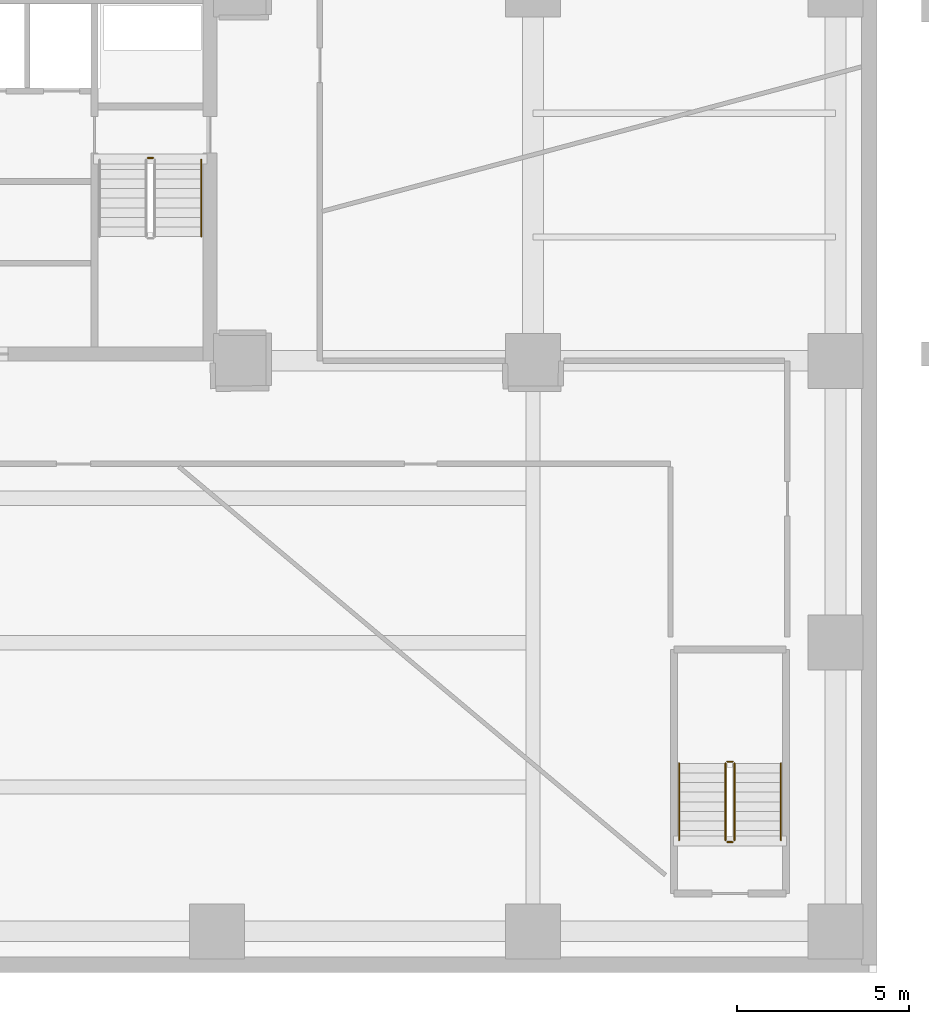
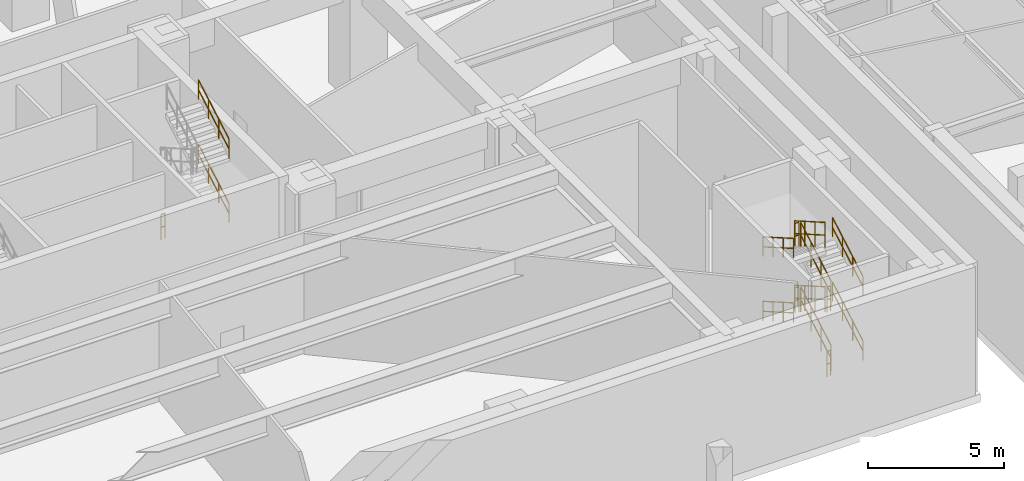
# One storey, part 10 of 12: 15 railings.
"""IFC4 building model written with IfcOpenShell, lengths in metres."""

from ifc_helpers import new_model, si_unit, direction, frame, origin, origin_2d, place, context, subcontext, project, spatial, circle, extrude, material, type_object, element, save


model = new_model("IFC4")

# Units and contexts
model_context = context("Model", 3, precision=1e-05, world=origin(), true_north=direction((0.0, 1.0)))
body_context = subcontext(model_context, "Body", "Model", "MODEL_VIEW")
ifc_project = project(units=[si_unit("LENGTHUNIT", "METRE"), si_unit("AREAUNIT", "SQUARE_METRE"), si_unit("VOLUMEUNIT", "CUBIC_METRE"), si_unit("PLANEANGLEUNIT", "RADIAN"), si_unit("MASSUNIT", "GRAM", prefix="KILO")], contexts=[model_context])

# Site, building, storey
site_placement = place(None, origin())
site = spatial("IfcSite", under=ifc_project, at=site_placement, CompositionType="ELEMENT")
building_placement = place(site_placement, origin())
building = spatial("IfcBuilding", under=site, at=building_placement, Name="Talar Marvaseh", CompositionType="ELEMENT")
storey_placement = place(building_placement, frame((0.0, 0.0, -5.800048828125)))
storey = spatial("IfcBuildingStorey", under=building, at=storey_placement, Name="B01", CompositionType="ELEMENT", Elevation=-5.800048828125)

# Railings
ifc_material = material(Name="Stainless Steel Grade 316", Category="steel")
railing_type_1 = type_object("IfcRailingType", Name="Brushed Stainless Wall Pitch Handrail 900", PredefinedType="HANDRAIL", material=ifc_material)
railing_1_placement = place(storey_placement, frame((32.35009765625, 29.409912109375, 1.611083984375)))
element("IfcRailing", 1, at=railing_1_placement, inside=storey, type_object=railing_type_1, Name="B01 ST-2 stair handrail 2", PredefinedType="HANDRAIL", context=body_context, shape_type="SweptSolid", body=[
    extrude(circle(Radius=0.02392578125, at=origin_2d()), frame((0.0, 0.0, 0.8759765625), z_axis=(0.0, 0.866727653441, 0.498781690482), x_axis=(-1.0, 0.0, 0.0)), (0.0, 0.0, 1.0), 2.58447265625),
    extrude(circle(Radius=0.02392578125, at=origin_2d()), frame((0.0, 0.0, 0.42578125), z_axis=(0.0, 0.866727653441, 0.498781690482), x_axis=(-1.0, 0.0, 0.0)), (0.0, 0.0, 1.0), 2.58447265625),
    extrude(circle(Radius=0.02099609375, at=origin_2d()), origin(), (0.0, 0.0, 1.0), 0.851806640625),
    extrude(circle(Radius=0.02099609375, at=origin_2d()), frame((0.0, 0.74658203125, 0.4296875)), (0.0, 0.0, 1.0), 0.851806640625),
    extrude(circle(Radius=0.02099609375, at=origin_2d()), frame((0.0, 1.493408203125, 0.859375)), (0.0, 0.0, 1.0), 0.851806640625),
    extrude(circle(Radius=0.02099609375, at=origin_2d()), frame((0.0, 2.239990234375, 1.2890625)), (0.0, 0.0, 1.0), 0.851806640625),
])
for number, where, name in (
    (2, (32.35009765625, 29.409912109375, 4.51123046875), "B01 ST-2 stair handrail 4"),
    (3, (49.2099609375, 11.85009765625, 0.1611328125), "B01 STN-ST2 stair handrail 1"),
):
    element("IfcRailing", number, at=place(storey_placement, frame(where)), inside=storey, type_object=railing_type_1, Name=name, PredefinedType="HANDRAIL", context=body_context, shape_type="SweptSolid", body=[
        extrude(circle(Radius=0.02392578125, at=origin_2d()), frame((0.0, 0.0, 0.8759765625), z_axis=(0.0, 0.866768490956, 0.498710720845), x_axis=(-1.0, 0.0, 0.0)), (0.0, 0.0, 1.0), 2.584228515625),
        extrude(circle(Radius=0.02392578125, at=origin_2d()), frame((0.0, 0.0, 0.42578125), z_axis=(0.0, 0.866768490956, 0.498710720845), x_axis=(-1.0, 0.0, 0.0)), (0.0, 0.0, 1.0), 2.584228515625),
        extrude(circle(Radius=0.02099609375, at=origin_2d()), origin(), (0.0, 0.0, 1.0), 0.851806640625),
        extrude(circle(Radius=0.02099609375, at=origin_2d()), frame((0.0, 0.74658203125, 0.4296875)), (0.0, 0.0, 1.0), 0.851806640625),
        extrude(circle(Radius=0.02099609375, at=origin_2d()), frame((0.0, 1.493408203125, 0.859130859375)), (0.0, 0.0, 1.0), 0.851806640625),
        extrude(circle(Radius=0.02099609375, at=origin_2d()), frame((0.0, 2.239990234375, 1.288818359375)), (0.0, 0.0, 1.0), 0.851806640625),
    ])
railing_2_placement = place(storey_placement, frame((46.25, 14.090087890625, 1.611083984375)))
element("IfcRailing", 4, at=railing_2_placement, inside=storey, type_object=railing_type_1, Name="B01 STN-ST2 stair handrail 2", PredefinedType="HANDRAIL", context=body_context, shape_type="SweptSolid", body=[
    extrude(circle(Radius=0.02392578125, at=origin_2d()), frame((0.0, 0.0, 0.8759765625), z_axis=(0.0, -0.866727653441, 0.498781690482), x_axis=(1.0, 0.0, 0.0)), (0.0, 0.0, 1.0), 2.58447265625),
    extrude(circle(Radius=0.02392578125, at=origin_2d()), frame((0.0, 0.0, 0.42578125), z_axis=(0.0, -0.866727653441, 0.498781690482), x_axis=(1.0, 0.0, 0.0)), (0.0, 0.0, 1.0), 2.58447265625),
    extrude(circle(Radius=0.02099609375, at=origin_2d()), origin(), (0.0, 0.0, 1.0), 0.851806640625),
    extrude(circle(Radius=0.02099609375, at=origin_2d()), frame((0.0, -0.74658203125, 0.4296875)), (0.0, 0.0, 1.0), 0.851806640625),
    extrude(circle(Radius=0.02099609375, at=origin_2d()), frame((0.0, -1.493408203125, 0.859375)), (0.0, 0.0, 1.0), 0.851806640625),
    extrude(circle(Radius=0.02099609375, at=origin_2d()), frame((0.0, -2.239990234375, 1.2890625)), (0.0, 0.0, 1.0), 0.851806640625),
])
railing_3_placement = place(storey_placement, frame((49.2099609375, 11.85009765625, 3.061279296875)))
element("IfcRailing", 5, at=railing_3_placement, inside=storey, type_object=railing_type_1, Name="B01 STN-ST2 stair handrail 3", PredefinedType="HANDRAIL", context=body_context, shape_type="SweptSolid", body=[
    extrude(circle(Radius=0.02392578125, at=origin_2d()), frame((0.0, 0.0, 0.8759765625), z_axis=(0.0, 0.866768490956, 0.498710720845), x_axis=(-1.0, 0.0, 0.0)), (0.0, 0.0, 1.0), 2.584228515625),
    extrude(circle(Radius=0.02392578125, at=origin_2d()), frame((0.0, 0.0, 0.42578125), z_axis=(0.0, 0.866768490956, 0.498710720845), x_axis=(-1.0, 0.0, 0.0)), (0.0, 0.0, 1.0), 2.584228515625),
    extrude(circle(Radius=0.02099609375, at=origin_2d()), origin(), (0.0, 0.0, 1.0), 0.851806640625),
    extrude(circle(Radius=0.02099609375, at=origin_2d()), frame((0.0, 0.74658203125, 0.4296875)), (0.0, 0.0, 1.0), 0.851806640625),
    extrude(circle(Radius=0.02099609375, at=origin_2d()), frame((0.0, 1.493408203125, 0.859130859375)), (0.0, 0.0, 1.0), 0.851806640625),
    extrude(circle(Radius=0.02099609375, at=origin_2d()), frame((0.0, 2.239990234375, 1.288818359375)), (0.0, 0.0, 1.0), 0.851806640625),
])
railing_4_placement = place(storey_placement, frame((46.25, 14.090087890625, 4.51123046875)))
element("IfcRailing", 6, at=railing_4_placement, inside=storey, type_object=railing_type_1, Name="B01 STN-ST2 stair handrail 4", PredefinedType="HANDRAIL", context=body_context, shape_type="SweptSolid", body=[
    extrude(circle(Radius=0.02392578125, at=origin_2d()), frame((0.0, 0.0, 0.8759765625), z_axis=(0.0, -0.866768490956, 0.498710720845), x_axis=(1.0, 0.0, 0.0)), (0.0, 0.0, 1.0), 2.584228515625),
    extrude(circle(Radius=0.02392578125, at=origin_2d()), frame((0.0, 0.0, 0.42578125), z_axis=(0.0, -0.866768490956, 0.498710720845), x_axis=(1.0, 0.0, 0.0)), (0.0, 0.0, 1.0), 2.584228515625),
    extrude(circle(Radius=0.02099609375, at=origin_2d()), origin(), (0.0, 0.0, 1.0), 0.851806640625),
    extrude(circle(Radius=0.02099609375, at=origin_2d()), frame((0.0, -0.74658203125, 0.4296875)), (0.0, 0.0, 1.0), 0.851806640625),
    extrude(circle(Radius=0.02099609375, at=origin_2d()), frame((0.0, -1.493408203125, 0.859130859375)), (0.0, 0.0, 1.0), 0.851806640625),
    extrude(circle(Radius=0.02099609375, at=origin_2d()), frame((0.0, -2.239990234375, 1.288818359375)), (0.0, 0.0, 1.0), 0.851806640625),
])
railing_type_2 = type_object("IfcRailingType", Name="Painted Steel Core Stair Well Guardrail 1150", PredefinedType="GUARDRAIL", material=ifc_material)
railing_5_placement = place(storey_placement, frame((30.7900390625, 31.699951171875, 0.0)))
element("IfcRailing", 7, at=railing_5_placement, inside=storey, type_object=railing_type_2, Name="B01 ST-2 stair guard 8", PredefinedType="GUARDRAIL", context=body_context, shape_type="SweptSolid", body=[
    extrude(circle(Radius=0.02392578125, at=origin_2d()), frame((0.0, 0.0, 1.1259765625), z_axis=(1.0, 0.0, 0.0), x_axis=(0.0, 1.0, 0.0)), (0.0, 0.0, 1.0), 0.159912109375),
    extrude(circle(Radius=0.02392578125, at=origin_2d()), frame((0.0, 0.0, 0.55078125), z_axis=(1.0, 0.0, 0.0), x_axis=(0.0, 1.0, 0.0)), (0.0, 0.0, 1.0), 0.159912109375),
    extrude(circle(Radius=0.02099609375, at=origin_2d()), origin(), (0.0, 0.0, 1.0), 1.101806640625),
    extrude(circle(Radius=0.02099609375, at=origin_2d()), frame((0.159912109375, 0.0, 0.0)), (0.0, 0.0, 1.0), 1.101806640625),
])
railing_6_placement = place(storey_placement, frame((47.860107421875, 11.85009765625, 0.1611328125)))
element("IfcRailing", 8, at=railing_6_placement, inside=storey, type_object=railing_type_2, Name="B01 STN-ST2 stair guard 1", PredefinedType="GUARDRAIL", context=body_context, shape_type="SweptSolid", body=[
    extrude(circle(Radius=0.02392578125, at=origin_2d()), frame((0.0, 0.0, 1.1259765625), z_axis=(0.0, 0.866768490956, 0.498710720845), x_axis=(-1.0, 0.0, 0.0)), (0.0, 0.0, 1.0), 2.584228515625),
    extrude(circle(Radius=0.02392578125, at=origin_2d()), frame((0.0, 0.0, 0.55078125), z_axis=(0.0, 0.866768490956, 0.498710720845), x_axis=(-1.0, 0.0, 0.0)), (0.0, 0.0, 1.0), 2.584228515625),
    extrude(circle(Radius=0.02099609375, at=origin_2d()), origin(), (0.0, 0.0, 1.0), 1.101806640625),
    extrude(circle(Radius=0.02099609375, at=origin_2d()), frame((0.0, 0.74658203125, 0.4296875)), (0.0, 0.0, 1.0), 1.101806640625),
    extrude(circle(Radius=0.02099609375, at=origin_2d()), frame((0.0, 1.493408203125, 0.859130859375)), (0.0, 0.0, 1.0), 1.101806640625),
    extrude(circle(Radius=0.02099609375, at=origin_2d()), frame((0.0, 2.239990234375, 1.288818359375)), (0.0, 0.0, 1.0), 1.101806640625),
])
railing_7_placement = place(storey_placement, frame((47.81005859375, 14.139892578125, 1.449951171875)))
element("IfcRailing", 9, at=railing_7_placement, inside=storey, type_object=railing_type_2, Name="B01 STN-ST2 stair guard 2", PredefinedType="GUARDRAIL", context=body_context, shape_type="SweptSolid", body=[
    extrude(circle(Radius=0.02392578125, at=origin_2d()), frame((0.0, 0.0, 1.1259765625), z_axis=(-1.0, 0.0, 0.0), x_axis=(0.0, -1.0, 0.0)), (0.0, 0.0, 1.0), 0.16015625),
    extrude(circle(Radius=0.02392578125, at=origin_2d()), frame((0.0, 0.0, 0.55078125), z_axis=(-1.0, 0.0, 0.0), x_axis=(0.0, -1.0, 0.0)), (0.0, 0.0, 1.0), 0.16015625),
    extrude(circle(Radius=0.02099609375, at=origin_2d()), origin(), (0.0, 0.0, 1.0), 1.101806640625),
    extrude(circle(Radius=0.02099609375, at=origin_2d()), frame((-0.16015625, 0.0, 0.0)), (0.0, 0.0, 1.0), 1.101806640625),
])
railing_8_placement = place(storey_placement, frame((47.60009765625, 14.090087890625, 1.611083984375)))
element("IfcRailing", 10, at=railing_8_placement, inside=storey, type_object=railing_type_2, Name="B01 STN-ST2 stair guard 3", PredefinedType="GUARDRAIL", context=body_context, shape_type="SweptSolid", body=[
    extrude(circle(Radius=0.02392578125, at=origin_2d()), frame((0.0, 0.0, 1.1259765625), z_axis=(0.0, -0.866727653441, 0.498781690482), x_axis=(1.0, 0.0, 0.0)), (0.0, 0.0, 1.0), 2.58447265625),
    extrude(circle(Radius=0.02392578125, at=origin_2d()), frame((0.0, 0.0, 0.55078125), z_axis=(0.0, -0.866727653441, 0.498781690482), x_axis=(1.0, 0.0, 0.0)), (0.0, 0.0, 1.0), 2.58447265625),
    extrude(circle(Radius=0.02099609375, at=origin_2d()), origin(), (0.0, 0.0, 1.0), 1.101806640625),
    extrude(circle(Radius=0.02099609375, at=origin_2d()), frame((0.0, -0.74658203125, 0.4296875)), (0.0, 0.0, 1.0), 1.101806640625),
    extrude(circle(Radius=0.02099609375, at=origin_2d()), frame((0.0, -1.493408203125, 0.859375)), (0.0, 0.0, 1.0), 1.101806640625),
    extrude(circle(Radius=0.02099609375, at=origin_2d()), frame((0.0, -2.239990234375, 1.2890625)), (0.0, 0.0, 1.0), 1.101806640625),
])
railing_9_placement = place(storey_placement, frame((47.81005859375, 11.800048828125, 2.900146484375)))
element("IfcRailing", 11, at=railing_9_placement, inside=storey, type_object=railing_type_2, Name="B01 STN-ST2 stair guard 4", PredefinedType="GUARDRAIL", context=body_context, shape_type="SweptSolid", body=[
    extrude(circle(Radius=0.02392578125, at=origin_2d()), frame((0.0, 0.0, 1.1259765625), z_axis=(-1.0, 0.0, 0.0), x_axis=(0.0, -1.0, 0.0)), (0.0, 0.0, 1.0), 0.16015625),
    extrude(circle(Radius=0.02392578125, at=origin_2d()), frame((0.0, 0.0, 0.55078125), z_axis=(-1.0, 0.0, 0.0), x_axis=(0.0, -1.0, 0.0)), (0.0, 0.0, 1.0), 0.16015625),
    extrude(circle(Radius=0.02099609375, at=origin_2d()), origin(), (0.0, 0.0, 1.0), 1.101806640625),
    extrude(circle(Radius=0.02099609375, at=origin_2d()), frame((-0.16015625, 0.0, 0.0)), (0.0, 0.0, 1.0), 1.101806640625),
])
railing_10_placement = place(storey_placement, frame((47.860107421875, 11.85009765625, 3.061279296875)))
element("IfcRailing", 12, at=railing_10_placement, inside=storey, type_object=railing_type_2, Name="B01 STN-ST2 stair guard 5", PredefinedType="GUARDRAIL", context=body_context, shape_type="SweptSolid", body=[
    extrude(circle(Radius=0.02392578125, at=origin_2d()), frame((0.0, 0.0, 1.1259765625), z_axis=(0.0, 0.866768490956, 0.498710720845), x_axis=(-1.0, 0.0, 0.0)), (0.0, 0.0, 1.0), 2.584228515625),
    extrude(circle(Radius=0.02392578125, at=origin_2d()), frame((0.0, 0.0, 0.55078125), z_axis=(0.0, 0.866768490956, 0.498710720845), x_axis=(-1.0, 0.0, 0.0)), (0.0, 0.0, 1.0), 2.584228515625),
    extrude(circle(Radius=0.02099609375, at=origin_2d()), origin(), (0.0, 0.0, 1.0), 1.101806640625),
    extrude(circle(Radius=0.02099609375, at=origin_2d()), frame((0.0, 0.74658203125, 0.4296875)), (0.0, 0.0, 1.0), 1.101806640625),
    extrude(circle(Radius=0.02099609375, at=origin_2d()), frame((0.0, 1.493408203125, 0.859130859375)), (0.0, 0.0, 1.0), 1.101806640625),
    extrude(circle(Radius=0.02099609375, at=origin_2d()), frame((0.0, 2.239990234375, 1.288818359375)), (0.0, 0.0, 1.0), 1.101806640625),
])
railing_11_placement = place(storey_placement, frame((47.81005859375, 14.139892578125, 4.35009765625)))
element("IfcRailing", 13, at=railing_11_placement, inside=storey, type_object=railing_type_2, Name="B01 STN-ST2 stair guard 6", PredefinedType="GUARDRAIL", context=body_context, shape_type="SweptSolid", body=[
    extrude(circle(Radius=0.02392578125, at=origin_2d()), frame((0.0, 0.0, 1.1259765625), z_axis=(-1.0, 0.0, 0.0), x_axis=(0.0, -1.0, 0.0)), (0.0, 0.0, 1.0), 0.16015625),
    extrude(circle(Radius=0.02392578125, at=origin_2d()), frame((0.0, 0.0, 0.55078125), z_axis=(-1.0, 0.0, 0.0), x_axis=(0.0, -1.0, 0.0)), (0.0, 0.0, 1.0), 0.16015625),
    extrude(circle(Radius=0.02099609375, at=origin_2d()), origin(), (0.0, 0.0, 1.0), 1.101806640625),
    extrude(circle(Radius=0.02099609375, at=origin_2d()), frame((-0.16015625, 0.0, 0.0)), (0.0, 0.0, 1.0), 1.101806640625),
])
railing_12_placement = place(storey_placement, frame((47.60009765625, 14.090087890625, 4.51123046875)))
element("IfcRailing", 14, at=railing_12_placement, inside=storey, type_object=railing_type_2, Name="B01 STN-ST2 stair guard 7", PredefinedType="GUARDRAIL", context=body_context, shape_type="SweptSolid", body=[
    extrude(circle(Radius=0.02392578125, at=origin_2d()), frame((0.0, 0.0, 1.1259765625), z_axis=(0.0, -0.866768490956, 0.498710720845), x_axis=(1.0, 0.0, 0.0)), (0.0, 0.0, 1.0), 2.584228515625),
    extrude(circle(Radius=0.02392578125, at=origin_2d()), frame((0.0, 0.0, 0.55078125), z_axis=(0.0, -0.866768490956, 0.498710720845), x_axis=(1.0, 0.0, 0.0)), (0.0, 0.0, 1.0), 2.584228515625),
    extrude(circle(Radius=0.02099609375, at=origin_2d()), origin(), (0.0, 0.0, 1.0), 1.101806640625),
    extrude(circle(Radius=0.02099609375, at=origin_2d()), frame((0.0, -0.74658203125, 0.4296875)), (0.0, 0.0, 1.0), 1.101806640625),
    extrude(circle(Radius=0.02099609375, at=origin_2d()), frame((0.0, -1.493408203125, 0.859130859375)), (0.0, 0.0, 1.0), 1.101806640625),
    extrude(circle(Radius=0.02099609375, at=origin_2d()), frame((0.0, -2.239990234375, 1.288818359375)), (0.0, 0.0, 1.0), 1.101806640625),
])
railing_13_placement = place(storey_placement, frame((47.81005859375, 11.800048828125, 0.0)))
element("IfcRailing", 15, at=railing_13_placement, inside=storey, type_object=railing_type_2, Name="B01 STN-ST2 stair guard 8", PredefinedType="GUARDRAIL", context=body_context, shape_type="SweptSolid", body=[
    extrude(circle(Radius=0.02392578125, at=origin_2d()), frame((0.0, 0.0, 1.1259765625), z_axis=(-1.0, 0.0, 0.0), x_axis=(0.0, -1.0, 0.0)), (0.0, 0.0, 1.0), 0.16015625),
    extrude(circle(Radius=0.02392578125, at=origin_2d()), frame((0.0, 0.0, 0.55078125), z_axis=(-1.0, 0.0, 0.0), x_axis=(0.0, -1.0, 0.0)), (0.0, 0.0, 1.0), 0.16015625),
    extrude(circle(Radius=0.02099609375, at=origin_2d()), origin(), (0.0, 0.0, 1.0), 1.101806640625),
    extrude(circle(Radius=0.02099609375, at=origin_2d()), frame((-0.16015625, 0.0, 0.0)), (0.0, 0.0, 1.0), 1.101806640625),
])

save(model, "model.ifc")
